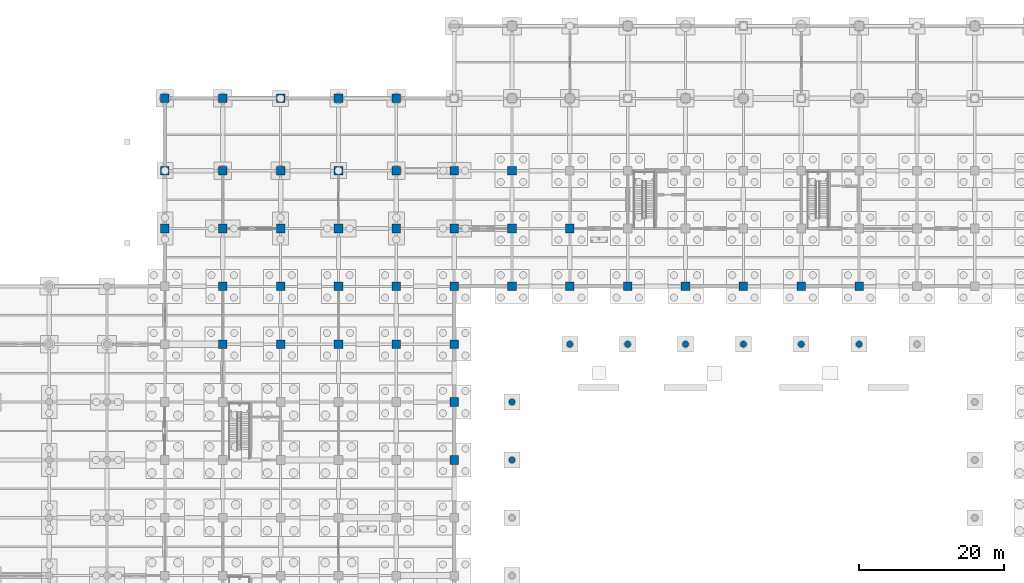
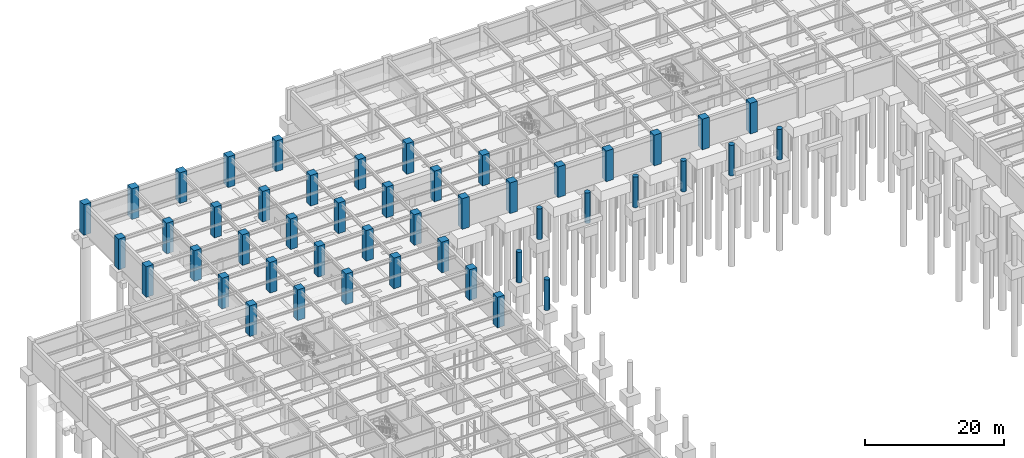
# One storey, part 51 of 97: 47 columns.
"""IFC4 building model written with IfcOpenShell, lengths in metres."""

from ifc_helpers import new_model, si_unit, direction, frame, origin, origin_2d, place, context, subcontext, project, spatial, rectangle, circle, extrude, material, material_profile, profile_set, type_object, element, save


model = new_model("IFC4")

# Units and contexts
model_context = context("Model", 3, precision=1e-05, world=origin(), true_north=direction((0.0, 1.0)))
body_context = subcontext(model_context, "Body", "Model", "MODEL_VIEW")
ifc_project = project(units=[si_unit("LENGTHUNIT", "METRE"), si_unit("AREAUNIT", "SQUARE_METRE"), si_unit("VOLUMEUNIT", "CUBIC_METRE"), si_unit("PLANEANGLEUNIT", "RADIAN"), si_unit("MASSUNIT", "GRAM", prefix="KILO")], contexts=[model_context])

# Site, building, storey
site_placement = place(None, origin())
site = spatial("IfcSite", under=ifc_project, at=site_placement, CompositionType="ELEMENT")
building_placement = place(site_placement, origin())
building = spatial("IfcBuilding", under=site, at=building_placement, Name="Haebicheon Civic Stadium", CompositionType="ELEMENT")
storey_placement = place(building_placement, frame((0.0, 0.0, -5.39990234375)))
storey = spatial("IfcBuildingStorey", under=building, at=storey_placement, Name="B1", CompositionType="ELEMENT", Elevation=-5.39990234375)

# Columns
ifc_material_1 = material(Name="Concrete C40/50", Category="concrete")
ifc_material_profile_1 = material_profile(ifc_material_1, rectangle(XDim=1.199951171875, YDim=1.199951171875, at=origin_2d()), Name="RC-COL-1200x1200")
ifc_profile_set_1 = profile_set([ifc_material_profile_1], Name="Concrete C40/50")
column_type_1 = type_object("IfcColumnType", Name="COL-RC-1200", PredefinedType="COLUMN", material=ifc_profile_set_1)
for number, where, z_axis, x_axis, name in (
    (1, (24.0, 160.0, 0.0), (0.0, 0.0, 1.0), (1.0, 0.0, 0.0), "B1 column 4/W"),
    (2, (24.0, 168.0, 0.0), (0.0, 0.0, 1.0), (1.0, 0.0, 0.0), "B1 column 4/X"),
    (3, (24.0, 178.0, 0.0), (0.0, 0.0, 1.0), (1.0, 0.0, 0.0), "B1 column 4/Y"),
    (4, (32.0, 144.0, 0.0), (0.0, 0.0, 1.0), (1.0, 0.0, 0.0), "B1 column 5/U"),
    (5, (32.0, 152.0, 0.0), (0.0, 0.0, 1.0), (1.0, 0.0, 0.0), "B1 column 5/V"),
    (6, (32.0, 160.0, 0.0), (0.0, 0.0, 1.0), (1.0, 0.0, 0.0), "B1 column 5/W"),
    (7, (32.0, 168.0, 0.0), (0.0, 0.0, 1.0), (1.0, 0.0, 0.0), "B1 column 5/X"),
    (8, (32.0, 178.0, 0.0), (0.0, 0.0, 1.0), (1.0, 0.0, 0.0), "B1 column 5/Y"),
    (9, (40.0, 144.0, 0.0), (0.0, 0.0, 1.0), (1.0, 0.0, 0.0), "B1 column 6/U"),
    (10, (40.0, 152.0, 0.0), (0.0, 0.0, 1.0), (1.0, 0.0, 0.0), "B1 column 6/V"),
    (11, (40.0, 160.0, 0.0), (0.0, 0.0, 1.0), (1.0, 0.0, 0.0), "B1 column 6/W"),
    (12, (40.0, 168.0, 0.0), (0.0, 0.0, 1.0), (1.0, 0.0, 0.0), "B1 column 6/X"),
    (13, (40.0, 178.0, 0.0), (0.0, 0.0, 1.0), (1.0, 0.0, 0.0), "B1 column 6/Y"),
    (14, (48.0, 144.0, 0.0), (0.0, 0.0, 1.0), (1.0, 0.0, 0.0), "B1 column 7/U"),
    (15, (48.0, 152.0, 0.0), (0.0, 0.0, 1.0), (1.0, 0.0, 0.0), "B1 column 7/V"),
    (16, (48.0, 160.0, 0.0), (0.0, 0.0, 1.0), (1.0, 0.0, 0.0), "B1 column 7/W"),
    (17, (48.0, 168.0, 0.0), (0.0, 0.0, 1.0), (1.0, 0.0, 0.0), "B1 column 7/X"),
    (18, (48.0, 178.0, 0.0), (0.0, 0.0, 1.0), (1.0, 0.0, 0.0), "B1 column 7/Y"),
    (19, (56.0, 144.0, 0.0), (0.0, 0.0, 1.0), (1.0, 0.0, 0.0), "B1 column 8/U"),
    (20, (56.0, 152.0, 0.0), (0.0, 0.0, 1.0), (1.0, 0.0, 0.0), "B1 column 8/V"),
    (21, (56.0, 160.0, 0.0), (0.0, 0.0, 1.0), (1.0, 0.0, 0.0), "B1 column 8/W"),
    (22, (56.0, 168.0, 0.0), (0.0, 0.0, 1.0), (1.0, 0.0, 0.0), "B1 column 8/X"),
    (23, (56.0, 178.0, 0.0), (0.0, 0.0, 1.0), (1.0, 0.0, 0.0), "B1 column 8/Y"),
    (24, (64.0, 128.0, 0.0), (0.0, 0.0, 1.0), (1.0, 0.0, 0.0), "B1 column 9/S"),
    (25, (64.0, 136.0, 0.0), (0.0, 0.0, 1.0), (1.0, 0.0, 0.0), "B1 column 9/T"),
    (26, (64.0, 144.0, 0.0), (0.0, 0.0, 1.0), (1.0, 0.0, 0.0), "B1 column 9/U"),
    (27, (64.0, 152.0, 0.0), (0.0, 0.0, 1.0), (1.0, 0.0, 0.0), "B1 column 9/V"),
    (28, (64.0, 160.0, 0.0), (0.0, 0.0, 1.0), (1.0, 0.0, 0.0), "B1 column 9/W"),
    (29, (64.0, 168.0, 0.0), (0.0, 0.0, 1.0), (1.0, 0.0, 0.0), "B1 column 9/X"),
    (30, (72.0, 152.0, 0.0), (0.0, 0.0, 1.0), (1.0, 0.0, 0.0), "B1 column 10/V"),
    (31, (72.0, 160.0, 0.0), (0.0, 0.0, 1.0), (1.0, 0.0, 0.0), "B1 column 10/W"),
    (32, (72.0, 168.0, 0.0), (0.0, 0.0, 1.0), (1.0, 0.0, 0.0), "B1 column 10/X"),
    (33, (80.0, 152.0, 0.0), (0.0, 0.0, 1.0), (1.0, 0.0, 0.0), "B1 column 11/V"),
    (34, (80.0, 160.0, 0.0), (0.0, 0.0, 1.0), (1.0, 0.0, 0.0), "B1 column 11/W"),
    (35, (88.0, 152.0, 0.0), (0.0, 0.0, 1.0), (1.0, 0.0, 0.0), "B1 column 12/V"),
    (36, (96.0, 152.0, 0.0), (0.0, 0.0, 1.0), (1.0, 0.0, 0.0), "B1 column 13/V"),
    (37, (104.0, 152.0, 0.0), (0.0, 0.0, 1.0), (1.0, 0.0, 0.0), "B1 column 14/V"),
    (38, (112.0, 152.0, 0.0), (0.0, 0.0, 1.0), (1.0, 0.0, 0.0), "B1 column 15/V"),
    (39, (120.0, 152.0, 0.0), (0.0, 0.0, 1.0), (1.0, 0.0, 0.0), "B1 column 16/V"),
):
    element("IfcColumn", number, at=place(storey_placement, frame(where, z_axis=z_axis, x_axis=x_axis)), inside=storey, type_object=column_type_1, material=ifc_profile_set_1, Name=name, PredefinedType="COLUMN", context=body_context, shape_type="SweptSolid", body=[
        extrude(rectangle(XDim=1.199951171875, YDim=1.199951171875, at=origin_2d()), origin(), (0.0, 0.0, 1.0), 5.39990234375),
    ])
ifc_material_2 = material(Name="Concrete C40/50", Category="concrete")
ifc_material_profile_2 = material_profile(ifc_material_2, circle(Radius=0.425048828125, at=origin_2d()), Name="RC-COL-D850")
ifc_profile_set_2 = profile_set([ifc_material_profile_2], Name="Concrete C40/50")
column_type_2 = type_object("IfcColumnType", Name="COL-RC-D850", PredefinedType="COLUMN", material=ifc_profile_set_2)
for number, where, z_axis, x_axis, name in (
    (40, (72.0, 128.0, 0.0), (0.0, 0.0, 1.0), (1.0, 0.0, 0.0), "Bowl/canopy support column 72/128 (B1)"),
    (41, (72.0, 136.0, 0.0), (0.0, 0.0, 1.0), (1.0, 0.0, 0.0), "Bowl/canopy support column 72/136 (B1)"),
    (42, (80.0, 144.0, 0.0), (0.0, 0.0, 1.0), (1.0, 0.0, 0.0), "Bowl/canopy support column 80/144 (B1)"),
    (43, (88.0, 144.0, 0.0), (0.0, 0.0, 1.0), (1.0, 0.0, 0.0), "Bowl/canopy support column 88/144 (B1)"),
    (44, (96.0, 144.0, 0.0), (0.0, 0.0, 1.0), (1.0, 0.0, 0.0), "Bowl/canopy support column 96/144 (B1)"),
    (45, (104.0, 144.0, 0.0), (0.0, 0.0, 1.0), (1.0, 0.0, 0.0), "Bowl/canopy support column 104/144 (B1)"),
    (46, (112.0, 144.0, 0.0), (0.0, 0.0, 1.0), (1.0, 0.0, 0.0), "Bowl/canopy support column 112/144 (B1)"),
    (47, (120.0, 144.0, 0.0), (0.0, 0.0, 1.0), (1.0, 0.0, 0.0), "Bowl/canopy support column 120/144 (B1)"),
):
    element("IfcColumn", number, at=place(storey_placement, frame(where, z_axis=z_axis, x_axis=x_axis)), inside=storey, type_object=column_type_2, material=ifc_profile_set_2, Name=name, PredefinedType="COLUMN", context=body_context, shape_type="SweptSolid", body=[
        extrude(circle(Radius=0.425048828125, at=origin_2d()), origin(), (0.0, 0.0, 1.0), 5.39990234375),
    ])

save(model, "model.ifc")
